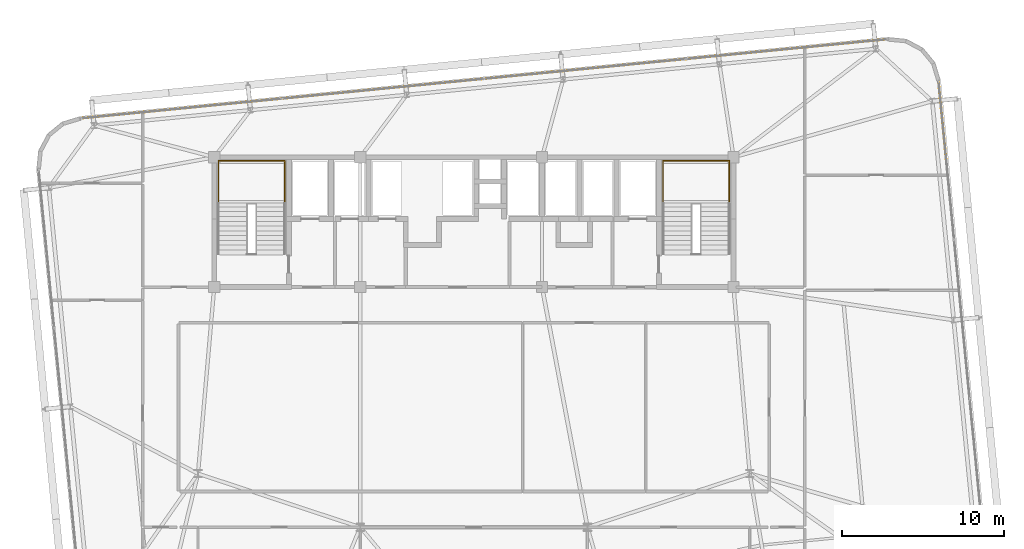
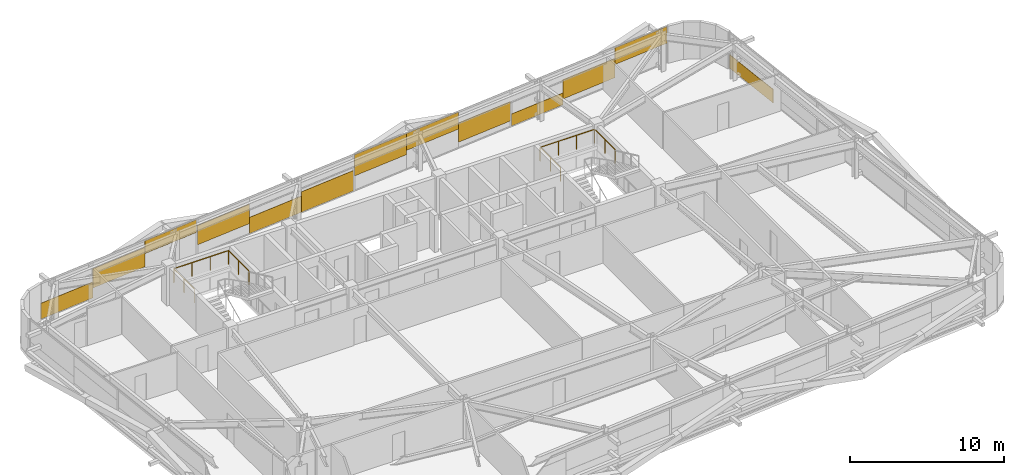
# One storey, part 47 of 47: 13 coverings, 2 railings.
"""IFC4 building model written with IfcOpenShell, lengths in metres."""

from ifc_helpers import new_model, si_unit, direction, frame, origin, origin_2d, place, context, subcontext, project, spatial, rectangle, extrude, source, transform, mapped, material, layer, layer_set, type_object, element, save


model = new_model("IFC4")

# Units and contexts
model_context = context("Model", 3, precision=1e-05, world=origin(), true_north=direction((0.0, 1.0)))
body_context = subcontext(model_context, "Body", "Model", "MODEL_VIEW")
ifc_project = project(units=[si_unit("LENGTHUNIT", "METRE"), si_unit("AREAUNIT", "SQUARE_METRE"), si_unit("VOLUMEUNIT", "CUBIC_METRE"), si_unit("PLANEANGLEUNIT", "RADIAN"), si_unit("MASSUNIT", "GRAM", prefix="KILO")], contexts=[model_context])

# Site, building, storey
site_placement = place(None, origin())
site = spatial("IfcSite", under=ifc_project, at=site_placement, CompositionType="ELEMENT")
building_placement = place(site_placement, origin())
building = spatial("IfcBuilding", under=site, at=building_placement, Name="Taldren Reach Tower", CompositionType="ELEMENT")
storey_placement = place(building_placement, frame((0.0, 0.0, 106.050048828125)))
storey = spatial("IfcBuildingStorey", under=building, at=storey_placement, Name="L32", CompositionType="ELEMENT", Elevation=106.050048828125)

# Railings
ifc_material_1 = material(Name="Steel Gr 350 (C350L0)", Category="steel")
ifc_layer_1 = layer(ifc_material_1, 0.050048828125)
ifc_layer_set_1 = layer_set([ifc_layer_1], Name="Steel Gr 350 (C350L0)")
railing_type = type_object("IfcRailingType", Name="RL-STAIR-GR", PredefinedType="GUARDRAIL", material=ifc_layer_set_1)
for number, where, name in (
    (1, (19.260009765625, 29.135009765625, 1.574951171875), "Stair half-landing perimeter guard ST1-L32"),
    (2, (46.659912109375, 29.135009765625, 1.574951171875), "Stair half-landing perimeter guard ST2-L32"),
):
    element("IfcRailing", number, at=place(storey_placement, frame(where)), inside=storey, type_object=railing_type, Name=name, PredefinedType="GUARDRAIL", context=body_context, shape_type="SweptSolid", body=[
        extrude(rectangle(XDim=0.047852, YDim=0.047852, at=origin_2d()), frame((0.0, 0.0, 1.09619140625), z_axis=(0.0, 1.0, 0.0), x_axis=(-1.0, 0.0, 0.0)), (0.0, 0.0, 1.0), 2.64501953125),
        extrude(rectangle(XDim=0.047852, YDim=0.047852, at=origin_2d()), frame((0.0, 2.64501953125, 1.09619140625), z_axis=(1.0, 0.0, 0.0), x_axis=(0.0, 1.0, 0.0)), (0.0, 0.0, 1.0), 4.080078125),
        extrude(rectangle(XDim=0.047852, YDim=0.047852, at=origin_2d()), frame((4.080078125, 2.64501953125, 1.09619140625), z_axis=(0.0, -1.0, 0.0), x_axis=(1.0, 0.0, 0.0)), (0.0, 0.0, 1.0), 2.64501953125),
        extrude(rectangle(XDim=0.041992, YDim=0.041992, at=origin_2d()), origin(), (0.0, 0.0, 1.0), 1.072021484375),
        extrude(rectangle(XDim=0.041992, YDim=0.041992, at=origin_2d()), frame((0.0, 1.322509765625, 0.0)), (0.0, 0.0, 1.0), 1.072021484375),
        extrude(rectangle(XDim=0.041992, YDim=0.041992, at=origin_2d()), frame((0.0, 2.64501953125, 0.0)), (0.0, 0.0, 1.0), 1.072021484375),
        extrude(rectangle(XDim=0.041992, YDim=0.041992, at=origin_2d()), frame((1.360107421875, 2.64501953125, 0.0)), (0.0, 0.0, 1.0), 1.072021484375),
        extrude(rectangle(XDim=0.041992, YDim=0.041992, at=origin_2d()), frame((2.719970703125, 2.64501953125, 0.0)), (0.0, 0.0, 1.0), 1.072021484375),
        extrude(rectangle(XDim=0.041992, YDim=0.041992, at=origin_2d()), frame((4.080078125, 2.64501953125, 0.0)), (0.0, 0.0, 1.0), 1.072021484375),
        extrude(rectangle(XDim=0.041992, YDim=0.041992, at=origin_2d()), frame((4.080078125, 1.322509765625, 0.0)), (0.0, 0.0, 1.0), 1.072021484375),
        extrude(rectangle(XDim=0.041992, YDim=0.041992, at=origin_2d()), frame((4.080078125, 0.0, 0.0)), (0.0, 0.0, 1.0), 1.072021484375),
    ])

# Coverings
ifc_material_2 = material(Name="Pale Champagne Fluoropolymer Aluminium Spandrel Cladding", Category="aluminium")
ifc_layer_2 = layer(ifc_material_2, 0.0439453125)
ifc_layer_set_2 = layer_set([ifc_layer_2], Name="Pale Champagne Fluoropolymer Aluminium Spandrel Cladding")
covering_type = type_object("IfcCoveringType", Name="CV-CLAD-044", PredefinedType="CLADDING", material=ifc_layer_set_2)
shared_shape_1 = source(origin(), body_context, "Body", "SweptSolid", [
    extrude(rectangle(XDim=4.13427734375, YDim=0.0439453125, at=origin_2d()), origin(), (0.0, 0.0, 1.0), 1.260498046875),
])
covering_1_placement = place(storey_placement, frame((12.872802734375, 34.594482421875, 0.0546875), z_axis=(0.0, 0.0, 1.0), x_axis=(-0.995227390247, -0.097582999046, 0.0)))
element("IfcCovering", 3, at=covering_1_placement, inside=storey, type_object=covering_type, Name="Diagrid closure cladding strip CW-3 panel 4.1 3", PredefinedType="CLADDING", context=body_context, shape_type="MappedRepresentation", body=[
    mapped(shared_shape_1, transform((0.0, 0.0, 0.0), scale=1.0)),
])
shared_shape_2 = source(origin(), body_context, "Body", "SweptSolid", [
    extrude(rectangle(XDim=4.13427734375, YDim=0.0439453125, at=origin_2d()), origin(), (0.0, 0.0, 1.0), 1.52197265625),
])
for number, where, z_axis, x_axis, name in (
    (4, (54.27587890625, 38.654052734375, 0.516845703125), (0.0, 0.0, 1.0), (-0.995227390247, -0.097582999046, 0.0), "Diagrid closure cladding strip CW-3 panel 1.1 2"),
    (5, (16.9873046875, 34.997802734375, 0.8310546875), (0.0, 0.0, 1.0), (-0.995227390247, -0.097582999046, 0.0), "Diagrid closure cladding strip CW-3 panel 4.1 2"),
):
    element("IfcCovering", number, at=place(storey_placement, frame(where, z_axis=z_axis, x_axis=x_axis)), inside=storey, type_object=covering_type, Name=name, PredefinedType="CLADDING", context=body_context, shape_type="MappedRepresentation", body=[
        mapped(shared_shape_2, transform((0.0, 0.0, 0.0), scale=1.0)),
    ])
shared_shape_3 = source(origin(), body_context, "Body", "SweptSolid", [
    extrude(rectangle(XDim=4.13427734375, YDim=0.0439453125, at=origin_2d()), origin(), (0.0, 0.0, 1.0), 1.006103515625),
])
covering_2_placement = place(storey_placement, frame((21.1015625, 35.4013671875, 1.86865234375), z_axis=(0.0, 0.0, 1.0), x_axis=(-0.995227390247, -0.097582999046, 0.0)))
element("IfcCovering", 6, at=covering_2_placement, inside=storey, type_object=covering_type, Name="Diagrid closure cladding strip CW-3 panel 4.1 1", PredefinedType="CLADDING", context=body_context, shape_type="MappedRepresentation", body=[
    mapped(shared_shape_3, transform((0.0, 0.0, 0.0), scale=1.0)),
])
shared_shape_4 = source(origin(), body_context, "Body", "SweptSolid", [
    extrude(rectangle(XDim=4.14501953125, YDim=0.0439453125, at=origin_2d()), origin(), (0.0, 0.0, 1.0), 1.52490234375),
])
for number, where, z_axis, x_axis, name in (
    (7, (45.97705078125, 37.84033203125, 0.492919921875), (0.0, 0.0, 1.0), (-0.995227390247, -0.097582999046, 0.0), "Diagrid closure cladding strip CW-3 panel 2.1 1"),
    (8, (25.2861328125, 35.8115234375, 0.85205078125), (0.0, 0.0, 1.0), (-0.995227390247, -0.097582999046, 0.0), "Diagrid closure cladding strip CW-3 panel 3.1 3"),
):
    element("IfcCovering", number, at=place(storey_placement, frame(where, z_axis=z_axis, x_axis=x_axis)), inside=storey, type_object=covering_type, Name=name, PredefinedType="CLADDING", context=body_context, shape_type="MappedRepresentation", body=[
        mapped(shared_shape_4, transform((0.0, 0.0, 0.0), scale=1.0)),
    ])
shared_shape_5 = source(origin(), body_context, "Body", "SweptSolid", [
    extrude(rectangle(XDim=4.14501953125, YDim=0.0439453125, at=origin_2d()), origin(), (0.0, 0.0, 1.0), 1.28125),
])
covering_3_placement = place(storey_placement, frame((29.411376953125, 36.216064453125, 0.054931640625), z_axis=(0.0, 0.0, 1.0), x_axis=(-0.995227390247, -0.097582999046, 0.0)))
element("IfcCovering", 9, at=covering_3_placement, inside=storey, type_object=covering_type, Name="Diagrid closure cladding strip CW-3 panel 3.1 2", PredefinedType="CLADDING", context=body_context, shape_type="MappedRepresentation", body=[
    mapped(shared_shape_5, transform((0.0, 0.0, 0.0), scale=1.0)),
])
shared_shape_6 = source(origin(), body_context, "Body", "SweptSolid", [
    extrude(rectangle(XDim=4.14501953125, YDim=0.0439453125, at=origin_2d()), origin(), (0.0, 0.0, 1.0), 1.614013671875),
])
covering_4_placement = place(storey_placement, frame((33.53662109375, 36.62060546875, 0.05517578125), z_axis=(0.0, 0.0, 1.0), x_axis=(-0.995227390247, -0.097582999046, 0.0)))
element("IfcCovering", 10, at=covering_4_placement, inside=storey, type_object=covering_type, Name="Diagrid closure cladding strip CW-3 panel 3.1 1", PredefinedType="CLADDING", context=body_context, shape_type="MappedRepresentation", body=[
    mapped(shared_shape_6, transform((0.0, 0.0, 0.0), scale=1.0)),
])
shared_shape_7 = source(origin(), body_context, "Body", "SweptSolid", [
    extrude(rectangle(XDim=4.14501953125, YDim=0.0439453125, at=origin_2d()), origin(), (0.0, 0.0, 1.0), 1.674072265625),
])
covering_5_placement = place(storey_placement, frame((37.7265625, 37.03125, 1.20068359375), z_axis=(0.0, 0.0, 1.0), x_axis=(-0.995227390247, -0.097582999046, 0.0)))
element("IfcCovering", 11, at=covering_5_placement, inside=storey, type_object=covering_type, Name="Diagrid closure cladding strip CW-3 panel 2.1 3", PredefinedType="CLADDING", context=body_context, shape_type="MappedRepresentation", body=[
    mapped(shared_shape_7, transform((0.0, 0.0, 0.0), scale=1.0)),
])
shared_shape_8 = source(origin(), body_context, "Body", "SweptSolid", [
    extrude(rectangle(XDim=4.14501953125, YDim=0.0439453125, at=origin_2d()), origin(), (0.0, 0.0, 1.0), 1.34130859375),
])
covering_6_placement = place(storey_placement, frame((41.851806640625, 37.435791015625, 1.53369140625), z_axis=(0.0, 0.0, 1.0), x_axis=(-0.995227390247, -0.097582999046, 0.0)))
element("IfcCovering", 12, at=covering_6_placement, inside=storey, type_object=covering_type, Name="Diagrid closure cladding strip CW-3 panel 2.1 2", PredefinedType="CLADDING", context=body_context, shape_type="MappedRepresentation", body=[
    mapped(shared_shape_8, transform((0.0, 0.0, 0.0), scale=1.0)),
])
shared_shape_9 = source(origin(), body_context, "Body", "SweptSolid", [
    extrude(rectangle(XDim=4.13427734375, YDim=0.0439453125, at=origin_2d()), origin(), (0.0, 0.0, 1.0), 0.946044921875),
])
covering_7_placement = place(storey_placement, frame((50.161376953125, 38.250732421875, 0.05517578125), z_axis=(0.0, 0.0, 1.0), x_axis=(-0.995227390247, -0.097582999046, 0.0)))
element("IfcCovering", 13, at=covering_7_placement, inside=storey, type_object=covering_type, Name="Diagrid closure cladding strip CW-3 panel 1.1 3", PredefinedType="CLADDING", context=body_context, shape_type="MappedRepresentation", body=[
    mapped(shared_shape_9, transform((0.0, 0.0, 0.0), scale=1.0)),
])
shared_shape_10 = source(origin(), body_context, "Body", "SweptSolid", [
    extrude(rectangle(XDim=4.13427734375, YDim=0.0439453125, at=origin_2d()), origin(), (0.0, 0.0, 1.0), 1.320556640625),
])
covering_8_placement = place(storey_placement, frame((58.390380859375, 39.057373046875, 1.5546875), z_axis=(0.0, 0.0, 1.0), x_axis=(-0.995227390247, -0.097582999046, 0.0)))
element("IfcCovering", 14, at=covering_8_placement, inside=storey, type_object=covering_type, Name="Diagrid closure cladding strip CW-3 panel 1.1 1", PredefinedType="CLADDING", context=body_context, shape_type="MappedRepresentation", body=[
    mapped(shared_shape_10, transform((0.0, 0.0, 0.0), scale=1.0)),
])
shared_shape_11 = source(origin(), body_context, "Body", "SweptSolid", [
    extrude(rectangle(XDim=4.867919921875, YDim=0.0439453125, at=origin_2d()), origin(), (0.0, 0.0, 1.0), 1.072998046875),
])
covering_9_placement = place(storey_placement, frame((63.881591796875, 34.211181640625, 0.05517578125), z_axis=(0.0, 0.0, 1.0), x_axis=(-0.09758274098, 0.99522741555, 0.0)))
element("IfcCovering", 15, at=covering_9_placement, inside=storey, type_object=covering_type, Name="Diagrid closure cladding strip CW-3 panel 3.1 2", PredefinedType="CLADDING", context=body_context, shape_type="MappedRepresentation", body=[
    mapped(shared_shape_11, transform((0.0, 0.0, 0.0), scale=1.0)),
])

save(model, "model.ifc")
